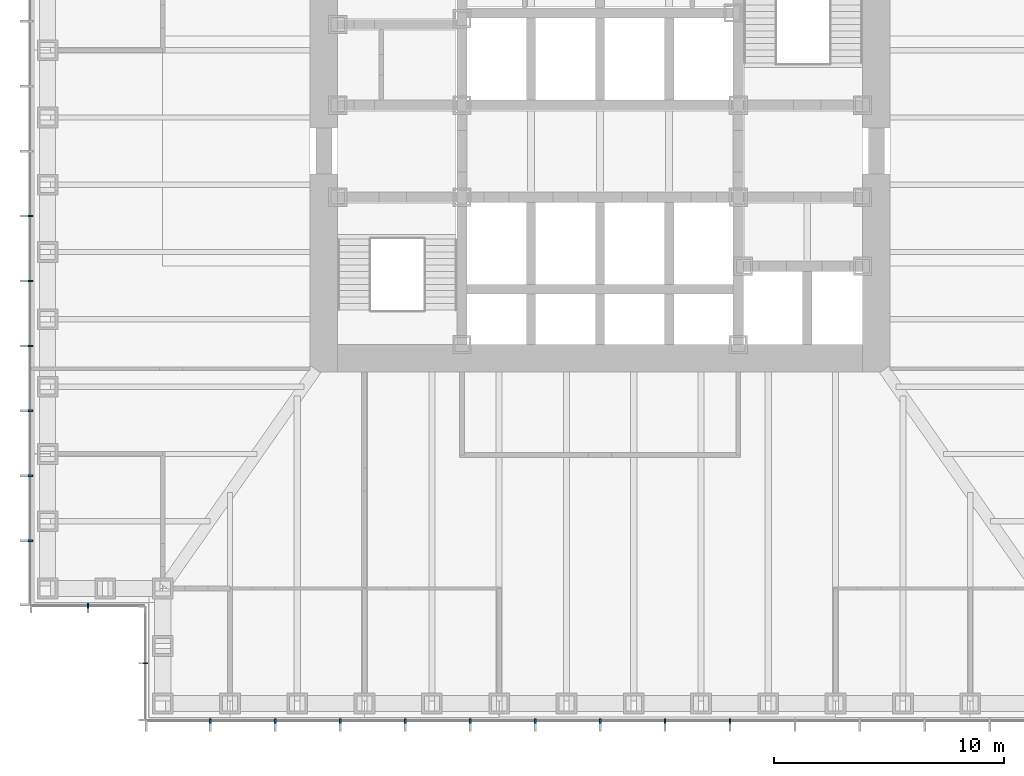
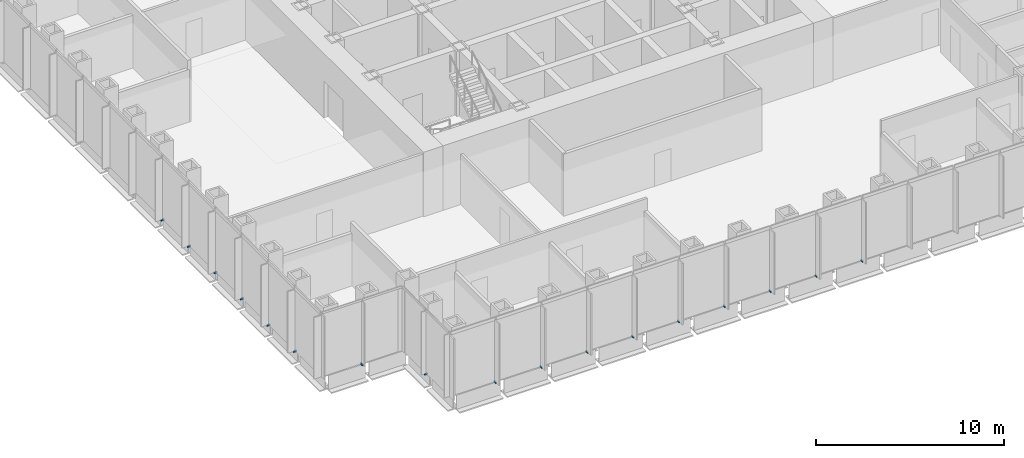
# One storey, part 12 of 17: 17 discrete accessories.
"""IFC4 building model written with IfcOpenShell, lengths in metres."""

from ifc_helpers import new_model, si_unit, direction, frame, origin, origin_2d, place, context, subcontext, project, spatial, rectangle, extrude, element, save


model = new_model("IFC4")

# Units and contexts
model_context = context("Model", 3, precision=1e-05, world=origin(), true_north=direction((0.0, 1.0)))
body_context = subcontext(model_context, "Body", "Model", "MODEL_VIEW")
ifc_project = project(units=[si_unit("LENGTHUNIT", "METRE"), si_unit("AREAUNIT", "SQUARE_METRE"), si_unit("VOLUMEUNIT", "CUBIC_METRE"), si_unit("PLANEANGLEUNIT", "RADIAN"), si_unit("MASSUNIT", "GRAM", prefix="KILO")], contexts=[model_context])

# Site, building, storey
site_placement = place(None, origin())
site = spatial("IfcSite", under=ifc_project, at=site_placement, CompositionType="ELEMENT")
building_placement = place(site_placement, origin())
building = spatial("IfcBuilding", under=site, at=building_placement, Name="Daluyong Arena Tower", CompositionType="ELEMENT")
storey_placement = place(building_placement, frame((0.0, 0.0, 89.5)))
storey = spatial("IfcBuildingStorey", under=building, at=storey_placement, Name="L19", CompositionType="ELEMENT", Elevation=89.5)

# Discrete accessories
for number, where, z_axis, x_axis, name in (
    (1, (39.071533203125, 55.25, -0.10009765625), (0.0, 0.0, 1.0), (1.0, 0.0, 0.0), "curtain wall L19 S anchor bracket 2"),
    (2, (41.892822265625, 55.25, -0.10009765625), (0.0, 0.0, 1.0), (1.0, 0.0, 0.0), "curtain wall L19 S anchor bracket 3"),
    (3, (44.71435546875, 55.25, -0.10009765625), (0.0, 0.0, 1.0), (1.0, 0.0, 0.0), "curtain wall L19 S anchor bracket 4"),
    (4, (47.53564453125, 55.25, -0.10009765625), (0.0, 0.0, 1.0), (1.0, 0.0, 0.0), "curtain wall L19 S anchor bracket 5"),
    (5, (50.357177734375, 55.25, -0.10009765625), (0.0, 0.0, 1.0), (1.0, 0.0, 0.0), "curtain wall L19 S anchor bracket 6"),
    (6, (53.178466796875, 55.25, -0.10009765625), (0.0, 0.0, 1.0), (1.0, 0.0, 0.0), "curtain wall L19 S anchor bracket 7"),
    (7, (56.0, 55.25, -0.10009765625), (0.0, 0.0, 1.0), (1.0, 0.0, 0.0), "curtain wall L19 S anchor bracket 8"),
    (8, (58.821533203125, 55.25, -0.10009765625), (0.0, 0.0, 1.0), (1.0, 0.0, 0.0), "curtain wall L19 S anchor bracket 9"),
    (9, (61.642822265625, 55.25, -0.10009765625), (0.0, 0.0, 1.0), (1.0, 0.0, 0.0), "curtain wall L19 S anchor bracket 10"),
    (10, (31.25, 77.178466796875, -0.10009765625), (0.0, 0.0, 1.0), (0.0, -1.0, 0.0), "curtain wall L19 W anchor bracket 9"),
    (11, (31.25, 74.357177734375, -0.10009765625), (0.0, 0.0, 1.0), (0.0, -1.0, 0.0), "curtain wall L19 W anchor bracket 10"),
    (12, (31.25, 71.53564453125, -0.10009765625), (0.0, 0.0, 1.0), (0.0, -1.0, 0.0), "curtain wall L19 W anchor bracket 11"),
    (13, (31.25, 68.71435546875, -0.10009765625), (0.0, 0.0, 1.0), (0.0, -1.0, 0.0), "curtain wall L19 W anchor bracket 12"),
    (14, (31.25, 65.892822265625, -0.10009765625), (0.0, 0.0, 1.0), (0.0, -1.0, 0.0), "curtain wall L19 W anchor bracket 13"),
    (15, (31.25, 63.071533203125, -0.10009765625), (0.0, 0.0, 1.0), (0.0, -1.0, 0.0), "curtain wall L19 W anchor bracket 14"),
):
    element("IfcDiscreteAccessory", number, at=place(storey_placement, frame(where, z_axis=z_axis, x_axis=x_axis)), inside=storey, Name=name, PredefinedType="BRACKET", context=body_context, shape_type="SweptSolid", body=[
        extrude(rectangle(XDim=0.080078125, YDim=0.199951171875, at=origin_2d()), origin(), (0.0, 0.0, 1.0), 0.10009765625),
    ])
for number, where, z_axis, x_axis, name in (
    (16, (33.75, 60.25, -0.10009765625), (0.0, 0.0, 1.0), (1.0, 0.0, 0.0), "curtain wall L19 SW-S anchor bracket 2"),
    (17, (36.25, 57.75, -0.10009765625), (0.0, 0.0, 1.0), (0.0, -1.0, 0.0), "curtain wall L19 SW-W anchor bracket 2"),
):
    element("IfcDiscreteAccessory", number, at=place(storey_placement, frame(where, z_axis=z_axis, x_axis=x_axis)), inside=storey, Name=name, PredefinedType="BRACKET", context=body_context, shape_type="SweptSolid", body=[
        extrude(rectangle(XDim=0.06005859375, YDim=0.199951171875, at=origin_2d()), origin(), (0.0, 0.0, 1.0), 0.10009765625),
    ])

save(model, "model.ifc")
